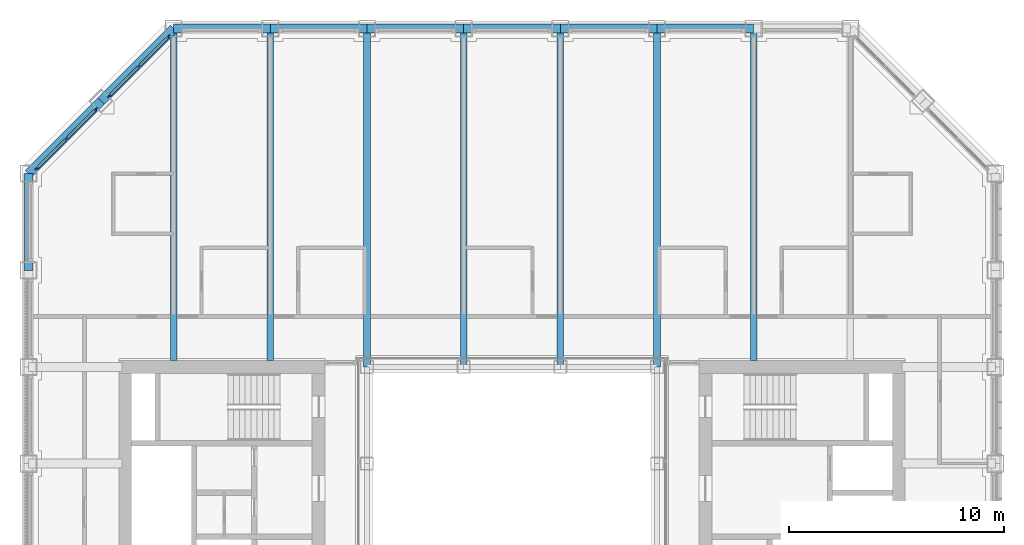
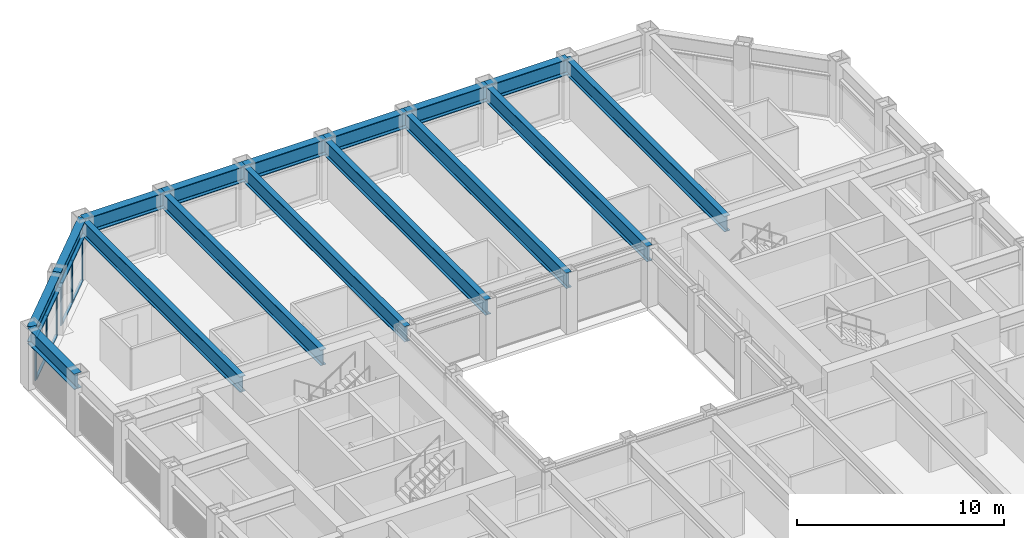
# One storey, part 7 of 17: 16 beams, 14 members, 2 elements without a shape of their own.
"""IFC4 building model written with IfcOpenShell, lengths in metres."""

from ifc_helpers import new_model, si_unit, direction, frame, origin, origin_2d, place, context, subcontext, project, spatial, rectangle, i_section, extrude, material, material_profile, profile_set, type_object, element, aggregate, save


model = new_model("IFC4")

# Units and contexts
model_context = context("Model", 3, precision=1e-05, world=origin(), true_north=direction((0.0, 1.0)))
body_context = subcontext(model_context, "Body", "Model", "MODEL_VIEW")
ifc_project = project(units=[si_unit("LENGTHUNIT", "METRE"), si_unit("AREAUNIT", "SQUARE_METRE"), si_unit("VOLUMEUNIT", "CUBIC_METRE"), si_unit("PLANEANGLEUNIT", "RADIAN"), si_unit("MASSUNIT", "GRAM", prefix="KILO")], contexts=[model_context])

# Site, building, storey
site_placement = place(None, origin())
site = spatial("IfcSite", under=ifc_project, at=site_placement, CompositionType="ELEMENT")
building_placement = place(site_placement, origin())
building = spatial("IfcBuilding", under=site, at=building_placement, Name="Msasa Ring Tower", CompositionType="ELEMENT")
storey_placement = place(building_placement, frame((0.0, 0.0, 154.39990234375)))
storey = spatial("IfcBuildingStorey", under=building, at=storey_placement, Name="L40", CompositionType="ELEMENT", Elevation=154.39990234375)

# Curtain wall, members
ifc_material_1 = material(Name="Aluminium curtain wall with clear glass", Category="aluminium")
curtain_wall_type = type_object("IfcCurtainWallType", Name="CW-C CHAMFER CORNER CURTAIN WALL", PredefinedType="NOTDEFINED", material=ifc_material_1)
curtain_wall_1_placement = place(storey_placement, origin())
curtain_wall_1 = element("IfcCurtainWall", 1, at=curtain_wall_1_placement, inside=storey, type_object=curtain_wall_type, Name="Chamfer corner curtain wall NW L40", PredefinedType="NOTDEFINED")
ifc_material_2 = material(Name="Aluminium mullion", Category="aluminium")
ifc_material_profile_1 = material_profile(ifc_material_2, rectangle(XDim=0.06494140625, YDim=0.179931640625, at=origin_2d()), Name="AL 65x180")
ifc_profile_set_1 = profile_set([ifc_material_profile_1], Name="Aluminium mullion")
member_type_1 = type_object("IfcMemberType", Name="CW-C MULLION 65x180", PredefinedType="MULLION", material=ifc_profile_set_1)
member_1_placement = place(storey_placement, frame((-19.36376953125, 18.744873046875, 0.0), z_axis=(0.0, 0.0, 1.0), x_axis=(0.707106781187, -0.707106781187, 0.0)))
member_1 = element("IfcMember", 2, at=member_1_placement, type_object=member_type_1, Name="CW-C mullion 1", PredefinedType="MULLION", context=body_context, shape_type="SweptSolid", body=[
    extrude(rectangle(XDim=0.06494140625, YDim=0.179931640625, at=origin_2d()), origin(), (0.0, 0.0, 1.0), 2.47900390625),
])
member_2_placement = place(storey_placement, frame((-20.74169921875, 17.36669921875, 0.0), z_axis=(0.0, 0.0, 1.0), x_axis=(0.707106781187, -0.707106781187, 0.0)))
member_2 = element("IfcMember", 3, at=member_2_placement, type_object=member_type_1, Name="CW-C mullion 2", PredefinedType="MULLION", context=body_context, shape_type="SweptSolid", body=[
    extrude(rectangle(XDim=0.06494140625, YDim=0.179931640625, at=origin_2d()), origin(), (0.0, 0.0, 1.0), 2.47900390625),
])
member_3_placement = place(storey_placement, frame((-22.119873046875, 15.98876953125, 0.0), z_axis=(0.0, 0.0, 1.0), x_axis=(0.707106781187, -0.707106781187, 0.0)))
member_3 = element("IfcMember", 4, at=member_3_placement, type_object=member_type_1, Name="CW-C mullion 3", PredefinedType="MULLION", context=body_context, shape_type="SweptSolid", body=[
    extrude(rectangle(XDim=0.06494140625, YDim=0.179931640625, at=origin_2d()), origin(), (0.0, 0.0, 1.0), 2.47900390625),
])

curtain_wall_2_placement = place(storey_placement, origin())
curtain_wall_2 = element("IfcCurtainWall", 5, at=curtain_wall_2_placement, inside=storey, type_object=curtain_wall_type, Name="Chamfer corner curtain wall NW L40", PredefinedType="NOTDEFINED")
member_4_placement = place(storey_placement, frame((-15.98876953125, 22.119873046875, 0.0), z_axis=(0.0, 0.0, 1.0), x_axis=(0.707106781187, -0.707106781187, 0.0)))
member_4 = element("IfcMember", 6, at=member_4_placement, type_object=member_type_1, Name="CW-C mullion 1", PredefinedType="MULLION", context=body_context, shape_type="SweptSolid", body=[
    extrude(rectangle(XDim=0.06494140625, YDim=0.179931640625, at=origin_2d()), origin(), (0.0, 0.0, 1.0), 2.47900390625),
])
member_5_placement = place(storey_placement, frame((-17.36669921875, 20.74169921875, 0.0), z_axis=(0.0, 0.0, 1.0), x_axis=(0.707106781187, -0.707106781187, 0.0)))
member_5 = element("IfcMember", 7, at=member_5_placement, type_object=member_type_1, Name="CW-C mullion 2", PredefinedType="MULLION", context=body_context, shape_type="SweptSolid", body=[
    extrude(rectangle(XDim=0.06494140625, YDim=0.179931640625, at=origin_2d()), origin(), (0.0, 0.0, 1.0), 2.47900390625),
])
member_6_placement = place(storey_placement, frame((-18.744873046875, 19.36376953125, 0.0), z_axis=(0.0, 0.0, 1.0), x_axis=(0.707106781187, -0.707106781187, 0.0)))
member_6 = element("IfcMember", 8, at=member_6_placement, type_object=member_type_1, Name="CW-C mullion 3", PredefinedType="MULLION", context=body_context, shape_type="SweptSolid", body=[
    extrude(rectangle(XDim=0.06494140625, YDim=0.179931640625, at=origin_2d()), origin(), (0.0, 0.0, 1.0), 2.47900390625),
])

# Member
ifc_material_3 = material(Name="Aluminium transom", Category="aluminium")
ifc_material_profile_2 = material_profile(ifc_material_3, rectangle(XDim=0.139892578125, YDim=0.06494140625, at=origin_2d()), Name="AL 65x140")
ifc_profile_set_2 = profile_set([ifc_material_profile_2], Name="Aluminium transom")
member_type_2 = type_object("IfcMemberType", Name="CW-C TRANSOM 65x140", PredefinedType="USERDEFINED", material=ifc_profile_set_2)
member_7_placement = place(storey_placement, frame((-19.38671875, 18.721923828125, 0.03271484375), z_axis=(-0.707106781187, -0.707106781187, 0.0), x_axis=(0.707106781187, -0.707106781187, 0.0)))
member_7 = element("IfcMember", 9, at=member_7_placement, type_object=member_type_2, Name="CW-C transom 1.1", ObjectType="TRANSOM", PredefinedType="USERDEFINED", context=body_context, shape_type="SweptSolid", body=[
    extrude(rectangle(XDim=0.139892578125, YDim=0.06494140625, at=origin_2d()), origin(), (0.0, 0.0, 1.0), 1.8837890625),
])

member_8_placement = place(storey_placement, frame((-19.38671875, 18.721923828125, 2.446533203125), z_axis=(-0.707106781187, -0.707106781187, 0.0), x_axis=(0.707106781187, -0.707106781187, 0.0)))
member_8 = element("IfcMember", 10, at=member_8_placement, type_object=member_type_2, Name="CW-C transom 1.2", ObjectType="TRANSOM", PredefinedType="USERDEFINED", context=body_context, shape_type="SweptSolid", body=[
    extrude(rectangle(XDim=0.139892578125, YDim=0.06494140625, at=origin_2d()), origin(), (0.0, 0.0, 1.0), 1.8837890625),
])

member_9_placement = place(storey_placement, frame((-20.764892578125, 17.34375, 0.03271484375), z_axis=(-0.707106781187, -0.707106781187, 0.0), x_axis=(0.707106781187, -0.707106781187, 0.0)))
member_9 = element("IfcMember", 11, at=member_9_placement, type_object=member_type_2, Name="CW-C transom 2.1", ObjectType="TRANSOM", PredefinedType="USERDEFINED", context=body_context, shape_type="SweptSolid", body=[
    extrude(rectangle(XDim=0.139892578125, YDim=0.06494140625, at=origin_2d()), origin(), (0.0, 0.0, 1.0), 1.8837890625),
])

member_10_placement = place(storey_placement, frame((-20.764892578125, 17.34375, 2.446533203125), z_axis=(-0.707106781187, -0.707106781187, 0.0), x_axis=(0.707106781187, -0.707106781187, 0.0)))
member_10 = element("IfcMember", 12, at=member_10_placement, type_object=member_type_2, Name="CW-C transom 2.2", ObjectType="TRANSOM", PredefinedType="USERDEFINED", context=body_context, shape_type="SweptSolid", body=[
    extrude(rectangle(XDim=0.139892578125, YDim=0.06494140625, at=origin_2d()), origin(), (0.0, 0.0, 1.0), 1.8837890625),
])

aggregate(curtain_wall_1, [member_1, member_2, member_3, member_7, member_8, member_9, member_10])

member_11_placement = place(storey_placement, frame((-16.01171875, 22.096923828125, 0.03271484375), z_axis=(-0.707106781187, -0.707106781187, 0.0), x_axis=(0.707106781187, -0.707106781187, 0.0)))
member_11 = element("IfcMember", 13, at=member_11_placement, type_object=member_type_2, Name="CW-C transom 1.1", ObjectType="TRANSOM", PredefinedType="USERDEFINED", context=body_context, shape_type="SweptSolid", body=[
    extrude(rectangle(XDim=0.139892578125, YDim=0.06494140625, at=origin_2d()), origin(), (0.0, 0.0, 1.0), 1.8837890625),
])

member_12_placement = place(storey_placement, frame((-16.01171875, 22.096923828125, 2.446533203125), z_axis=(-0.707106781187, -0.707106781187, 0.0), x_axis=(0.707106781187, -0.707106781187, 0.0)))
member_12 = element("IfcMember", 14, at=member_12_placement, type_object=member_type_2, Name="CW-C transom 1.2", ObjectType="TRANSOM", PredefinedType="USERDEFINED", context=body_context, shape_type="SweptSolid", body=[
    extrude(rectangle(XDim=0.139892578125, YDim=0.06494140625, at=origin_2d()), origin(), (0.0, 0.0, 1.0), 1.8837890625),
])

member_13_placement = place(storey_placement, frame((-17.389892578125, 20.71875, 0.03271484375), z_axis=(-0.707106781187, -0.707106781187, 0.0), x_axis=(0.707106781187, -0.707106781187, 0.0)))
member_13 = element("IfcMember", 15, at=member_13_placement, type_object=member_type_2, Name="CW-C transom 2.1", ObjectType="TRANSOM", PredefinedType="USERDEFINED", context=body_context, shape_type="SweptSolid", body=[
    extrude(rectangle(XDim=0.139892578125, YDim=0.06494140625, at=origin_2d()), origin(), (0.0, 0.0, 1.0), 1.8837890625),
])

member_14_placement = place(storey_placement, frame((-17.389892578125, 20.71875, 2.446533203125), z_axis=(-0.707106781187, -0.707106781187, 0.0), x_axis=(0.707106781187, -0.707106781187, 0.0)))
member_14 = element("IfcMember", 16, at=member_14_placement, type_object=member_type_2, Name="CW-C transom 2.2", ObjectType="TRANSOM", PredefinedType="USERDEFINED", context=body_context, shape_type="SweptSolid", body=[
    extrude(rectangle(XDim=0.139892578125, YDim=0.06494140625, at=origin_2d()), origin(), (0.0, 0.0, 1.0), 1.8837890625),
])

aggregate(curtain_wall_2, [member_4, member_5, member_6, member_11, member_12, member_13, member_14])

# Beams
ifc_material_4 = material(Name="Steel S355", Category="steel")
ifc_material_profile_3 = material_profile(ifc_material_4, i_section(OverallWidth=0.3076171875, OverallDepth=0.926513671875, WebThickness=0.01953125, FlangeThickness=0.031982421875, FilletRadius=0.01904296875, at=origin_2d()), Name="UB 914x305x289")
ifc_profile_set_3 = profile_set([ifc_material_profile_3], Name="Steel S355")
beam_type_1 = type_object("IfcBeamType", Name="FB3 UB 914x305x289", PredefinedType="BEAM", material=ifc_profile_set_3)
for number, where, z_axis, x_axis, name in (
    (17, (-15.75, 22.5, 2.936767578125), (0.0, -1.0, 0.0), (1.0, 0.0, 0.0), "Floor beam N-15.75 under L41"),
    (18, (-11.25, 22.5, 2.936767578125), (0.0, -1.0, 0.0), (1.0, 0.0, 0.0), "Floor beam N-11.25 under L41"),
):
    element("IfcBeam", number, at=place(storey_placement, frame(where, z_axis=z_axis, x_axis=x_axis)), inside=storey, type_object=beam_type_1, Name=name, PredefinedType="BEAM", context=body_context, shape_type="SweptSolid", body=[
        extrude(i_section(OverallWidth=0.3076171875, OverallDepth=0.926513671875, WebThickness=0.01953125, FlangeThickness=0.031982421875, FilletRadius=0.01904296875, at=origin_2d()), origin(), (0.0, 0.0, 1.0), 15.449951171875),
    ])
for number, where, z_axis, x_axis, name in (
    (19, (-6.75, 22.5, 2.936767578125), (0.0, -1.0, 0.0), (1.0, 0.0, 0.0), "Floor beam N-6.75 under L41"),
    (20, (-2.25, 22.5, 2.936767578125), (0.0, -1.0, 0.0), (1.0, 0.0, 0.0), "Floor beam N-2.25 under L41"),
    (21, (2.25, 22.5, 2.936767578125), (0.0, -1.0, 0.0), (1.0, 0.0, 0.0), "Floor beam N+2.25 under L41"),
    (22, (6.75, 22.5, 2.936767578125), (0.0, -1.0, 0.0), (1.0, 0.0, 0.0), "Floor beam N+6.75 under L41"),
):
    element("IfcBeam", number, at=place(storey_placement, frame(where, z_axis=z_axis, x_axis=x_axis)), inside=storey, type_object=beam_type_1, Name=name, PredefinedType="BEAM", context=body_context, shape_type="SweptSolid", body=[
        extrude(i_section(OverallWidth=0.3076171875, OverallDepth=0.926513671875, WebThickness=0.01953125, FlangeThickness=0.031982421875, FilletRadius=0.01904296875, at=origin_2d()), origin(), (0.0, 0.0, 1.0), 15.75),
    ])
beam_1_placement = place(storey_placement, frame((11.25, 22.5, 2.936767578125), z_axis=(0.0, -1.0, 0.0), x_axis=(1.0, 0.0, 0.0)))
element("IfcBeam", 23, at=beam_1_placement, inside=storey, type_object=beam_type_1, Name="Floor beam N+11.25 under L41", PredefinedType="BEAM", context=body_context, shape_type="SweptSolid", body=[
    extrude(i_section(OverallWidth=0.3076171875, OverallDepth=0.926513671875, WebThickness=0.01953125, FlangeThickness=0.031982421875, FilletRadius=0.01904296875, at=origin_2d()), origin(), (0.0, 0.0, 1.0), 15.449951171875),
])
ifc_material_5 = material(Name="Steel S355", Category="steel")
ifc_material_profile_4 = material_profile(ifc_material_5, i_section(OverallWidth=0.42041015625, OverallDepth=0.9208984375, WebThickness=0.021484375, FlangeThickness=0.03662109375, FilletRadius=0.024169921875, at=origin_2d()), Name="UB 914x419x388")
ifc_profile_set_4 = profile_set([ifc_material_profile_4], Name="Steel S355")
beam_type_2 = type_object("IfcBeamType", Name="SB1 UB 914x419x388", PredefinedType="SPANDREL", material=ifc_profile_set_4)
for number, where, z_axis, x_axis, name in (
    (24, (11.25, 22.5, 2.939697265625), (-1.0, 0.0, 0.0), (0.0, -1.0, 0.0), "Spandrel N+11.25 to N+6.75 under L41"),
    (25, (6.75, 22.5, 2.939697265625), (-1.0, 0.0, 0.0), (0.0, -1.0, 0.0), "Spandrel N+6.75 to N+2.25 under L41"),
    (26, (2.25, 22.5, 2.939697265625), (-1.0, 0.0, 0.0), (0.0, -1.0, 0.0), "Spandrel N+2.25 to N-2.25 under L41"),
    (27, (-2.25, 22.5, 2.939697265625), (-1.0, 0.0, 0.0), (0.0, -1.0, 0.0), "Spandrel N-2.25 to N-6.75 under L41"),
    (28, (-6.75, 22.5, 2.939697265625), (-1.0, 0.0, 0.0), (0.0, -1.0, 0.0), "Spandrel N-6.75 to N-11.25 under L41"),
    (29, (-11.25, 22.5, 2.939697265625), (-1.0, 0.0, 0.0), (0.0, -1.0, 0.0), "Spandrel N-11.25 to N-15.75 under L41"),
):
    element("IfcBeam", number, at=place(storey_placement, frame(where, z_axis=z_axis, x_axis=x_axis)), inside=storey, type_object=beam_type_2, Name=name, PredefinedType="SPANDREL", context=body_context, shape_type="SweptSolid", body=[
        extrude(i_section(OverallWidth=0.42041015625, OverallDepth=0.9208984375, WebThickness=0.021484375, FlangeThickness=0.03662109375, FilletRadius=0.024169921875, at=origin_2d()), origin(), (0.0, 0.0, 1.0), 4.5),
    ])
for number, where, z_axis, x_axis, name in (
    (30, (-15.75, 22.5, 2.939697265625), (-0.707106781187, -0.707106781187, 0.0), (0.707106781187, -0.707106781187, 0.0), "Spandrel N-15.75 to NW under L41"),
    (31, (-19.125, 19.125, 2.939697265625), (-0.707106781187, -0.707106781187, 0.0), (0.707106781187, -0.707106781187, 0.0), "Spandrel NW to W+15.75 under L41"),
):
    element("IfcBeam", number, at=place(storey_placement, frame(where, z_axis=z_axis, x_axis=x_axis)), inside=storey, type_object=beam_type_2, Name=name, PredefinedType="SPANDREL", context=body_context, shape_type="SweptSolid", body=[
        extrude(i_section(OverallWidth=0.42041015625, OverallDepth=0.9208984375, WebThickness=0.021484375, FlangeThickness=0.03662109375, FilletRadius=0.024169921875, at=origin_2d()), origin(), (0.0, 0.0, 1.0), 4.77294921875),
    ])
beam_2_placement = place(storey_placement, frame((-22.5, 15.75, 2.939697265625), z_axis=(0.0, -1.0, 0.0), x_axis=(1.0, 0.0, 0.0)))
element("IfcBeam", 32, at=beam_2_placement, inside=storey, type_object=beam_type_2, Name="Spandrel W+15.75 to W+11.25 under L41", PredefinedType="SPANDREL", context=body_context, shape_type="SweptSolid", body=[
    extrude(i_section(OverallWidth=0.42041015625, OverallDepth=0.9208984375, WebThickness=0.021484375, FlangeThickness=0.03662109375, FilletRadius=0.024169921875, at=origin_2d()), origin(), (0.0, 0.0, 1.0), 4.5),
])

save(model, "model.ifc")
